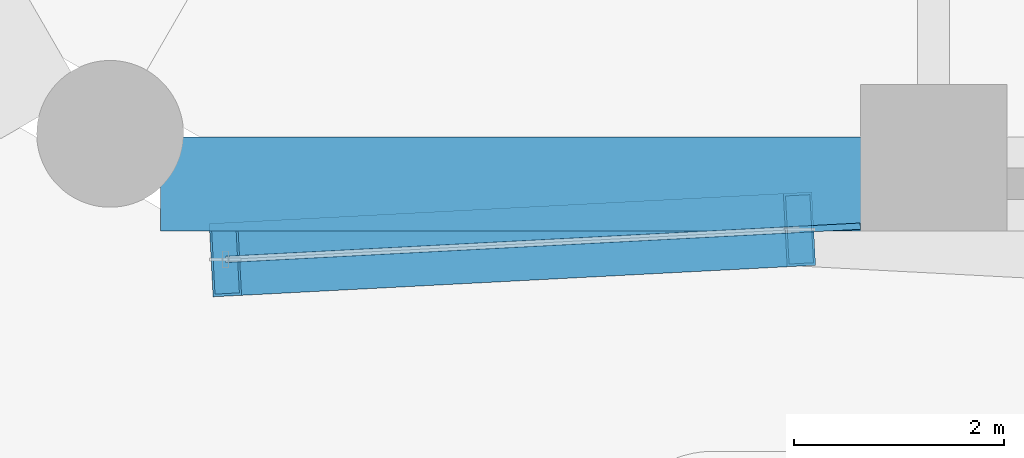
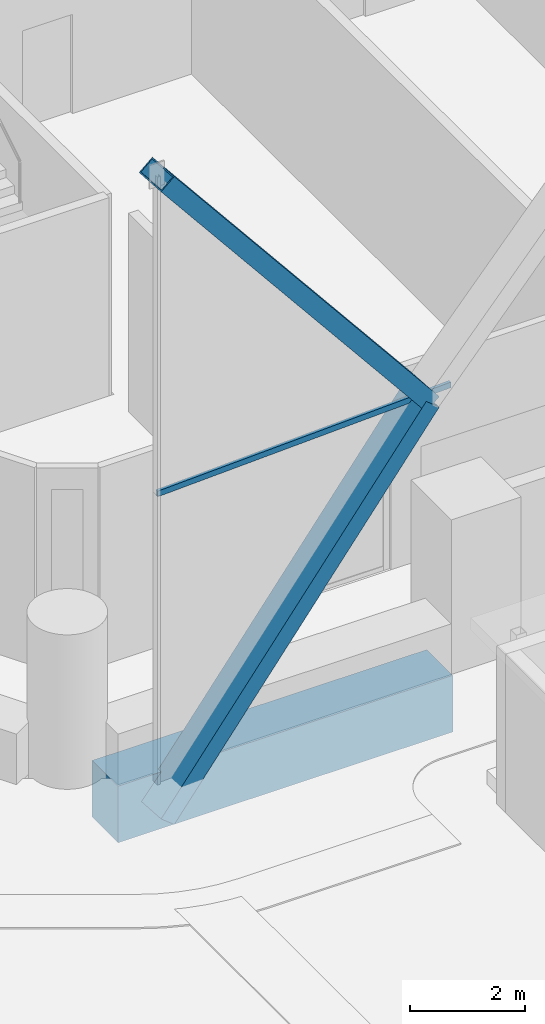
# One storey, part 8 of 71: 3 members, 1 beam, 1 element without a shape of its own.
"""IFC4 building model written with IfcOpenShell, lengths in metres."""

from ifc_helpers import new_model, si_unit, direction, frame, origin, origin_2d, place, context, subcontext, project, spatial, rectangle, hollow_rectangle, extrude, material, material_profile, profile_set, type_object, element, aggregate, save


model = new_model("IFC4")

# Units and contexts
model_context = context("Model", 3, precision=1e-05, world=origin(), true_north=direction((0.0, 1.0)))
body_context = subcontext(model_context, "Body", "Model", "MODEL_VIEW")
ifc_project = project(units=[si_unit("LENGTHUNIT", "METRE"), si_unit("AREAUNIT", "SQUARE_METRE"), si_unit("VOLUMEUNIT", "CUBIC_METRE"), si_unit("PLANEANGLEUNIT", "RADIAN"), si_unit("MASSUNIT", "GRAM", prefix="KILO")], contexts=[model_context])

# Site, building, storey
site_placement = place(None, origin())
site = spatial("IfcSite", under=ifc_project, at=site_placement, CompositionType="ELEMENT")
building_placement = place(site_placement, origin())
building = spatial("IfcBuilding", under=site, at=building_placement, Name="Ostrander Bayou Hotel Tower", CompositionType="ELEMENT")
storey_placement = place(building_placement, frame((0.0, 0.0, 10.0)))
storey = spatial("IfcBuildingStorey", under=building, at=storey_placement, Name="L02", CompositionType="ELEMENT", Elevation=10.0)

# Curtain wall, member
ifc_material_1 = material(Name="Aluminium and clear glass", Category="aluminium")
curtain_wall_type = type_object("IfcCurtainWallType", Name="CW-LAT lattice glazing", PredefinedType="NOTDEFINED", material=ifc_material_1)
curtain_wall_placement = place(storey_placement, origin())
curtain_wall = element("IfcCurtainWall", 1, at=curtain_wall_placement, inside=storey, type_object=curtain_wall_type, Name="CW-LAT L02 S 2", PredefinedType="NOTDEFINED")
ifc_material_2 = material(Name="Aluminium", Category="aluminium")
ifc_material_profile_1 = material_profile(ifc_material_2, hollow_rectangle(XDim=0.06005859375, YDim=0.1201171875, WallThickness=0.00390625, at=origin_2d()))
ifc_profile_set_1 = profile_set([ifc_material_profile_1], Name="Aluminium")
member_type_1 = type_object("IfcMemberType", Name="CW-LA transom 60 x 120 mm", PredefinedType="USERDEFINED", material=ifc_profile_set_1)
member_placement = place(storey_placement, frame((-10.95068359375, -22.070068359375, 6.14990234375), z_axis=(0.998629151189, 0.052343274597, 0.0), x_axis=(-0.052343274597, 0.998629151189, 0.0)))
member = element("IfcMember", 2, at=member_placement, type_object=member_type_1, Name="CW-LAT transom 3", ObjectType="TRANSOM", PredefinedType="USERDEFINED", context=body_context, shape_type="SweptSolid", body=[
    extrude(hollow_rectangle(XDim=0.06005859375, YDim=0.1201171875, WallThickness=0.00390625, at=origin_2d()), origin(), (0.0, 0.0, 1.0), 6.0634765625),
])
aggregate(curtain_wall, [member])

# Members
ifc_material_3 = material(Name="Steel ASTM A572 Gr 50", Category="steel")
ifc_material_profile_2 = material_profile(ifc_material_3, hollow_rectangle(XDim=0.699951171875, YDim=0.35009765625, WallThickness=0.02490234375, at=origin_2d()))
ifc_profile_set_2 = profile_set([ifc_material_profile_2], Name="Steel ASTM A572 Gr 50")
member_type_2 = type_object("IfcMemberType", Name="LT1 lattice member box 700 x 350 x 25 mm", PredefinedType="BRACE", material=ifc_profile_set_2)
for number, where, z_axis, x_axis, name in (
    (3, (-5.475341796875, -21.783203125, 6.14990234375), (-0.629623537067, -0.032987365945, -0.77619973928), (0.052320446705, -0.998630347454, 0.0), "LT1 L02 S 1"),
    (4, (-5.475341796875, -21.783203125, 6.14990234375), (-0.629623537067, -0.032987365945, 0.77619973928), (0.052320446705, -0.998630347454, 0.0), "LT1 L02 S 2"),
):
    element("IfcMember", number, at=place(storey_placement, frame(where, z_axis=z_axis, x_axis=x_axis)), inside=storey, type_object=member_type_2, Name=name, PredefinedType="BRACE", context=body_context, shape_type="SweptSolid", body=[
        extrude(hollow_rectangle(XDim=0.699951171875, YDim=0.35009765625, WallThickness=0.02490234375, at=origin_2d()), origin(), (0.0, 0.0, 1.0), 8.6962890625),
    ])

# Beam
ifc_material_4 = material(Name="Concrete f'c 70 MPa", Category="concrete")
ifc_material_profile_3 = material_profile(ifc_material_4, rectangle(XDim=0.89990234375, YDim=1.199951171875, at=origin_2d()))
ifc_profile_set_3 = profile_set([ifc_material_profile_3], Name="Concrete f'c 70 MPa")
beam_type = type_object("IfcBeamType", Name="SP1 spandrel beam 900 x 1200 mm f'c 70 MPa", PredefinedType="SPANDREL", material=ifc_profile_set_3)
beam_placement = place(storey_placement, frame((-11.569091796875, -21.35009765625, -0.60009765625), z_axis=(1.0, 0.0, 0.0), x_axis=(0.0, 1.0, 0.0)))
element("IfcBeam", 5, at=beam_placement, inside=storey, type_object=beam_type, Name="SP1 L02 S-1", PredefinedType="SPANDREL", context=body_context, shape_type="SweptSolid", body=[
    extrude(rectangle(XDim=0.89990234375, YDim=1.199951171875, at=origin_2d()), origin(), (0.0, 0.0, 1.0), 6.70361328125),
])

save(model, "model.ifc")
